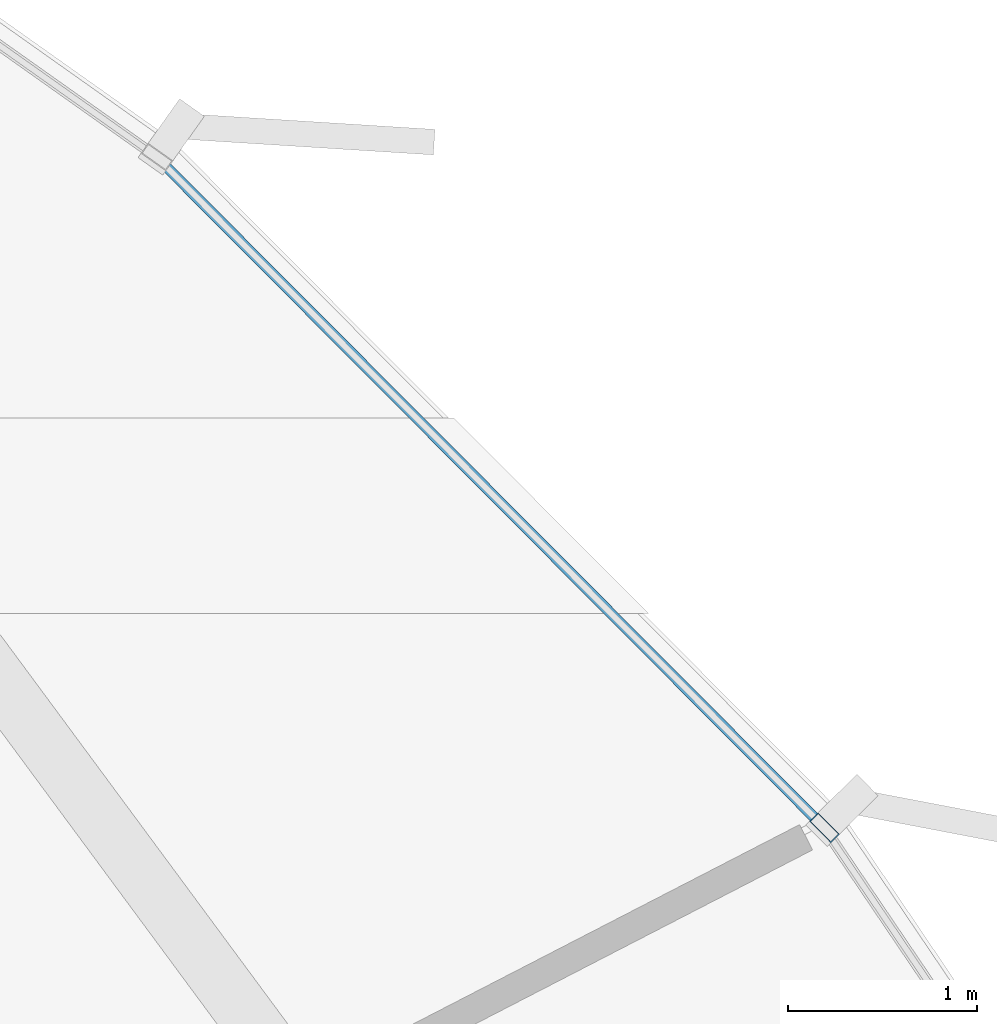
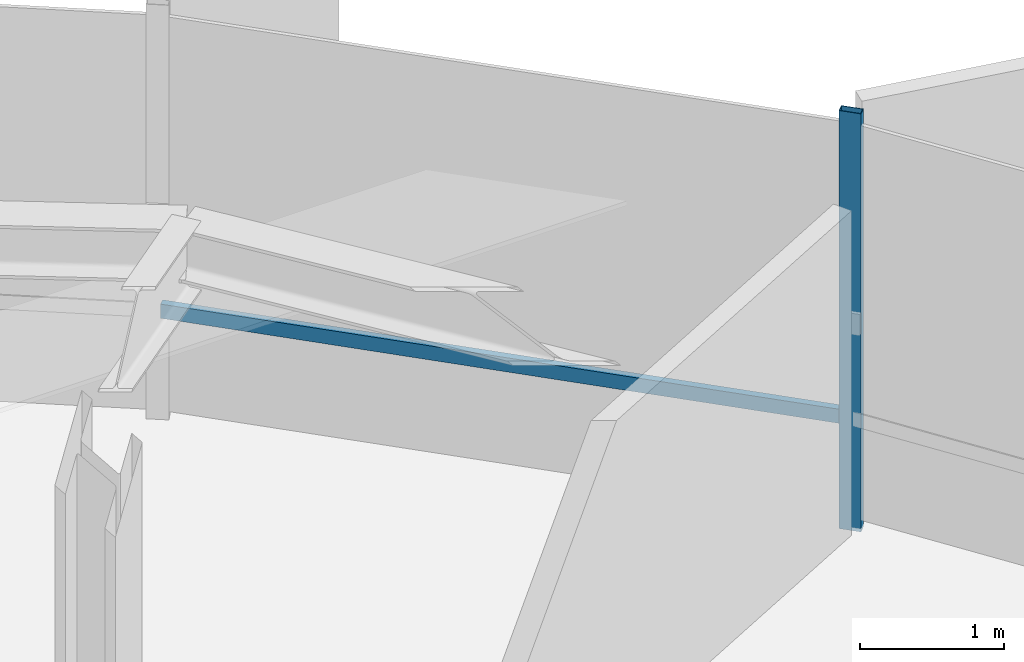
# One storey, part 25 of 39: 2 members, 1 element without a shape of its own.
"""IFC4 building model written with IfcOpenShell, lengths in metres."""

from ifc_helpers import new_model, si_unit, direction, frame, origin, origin_2d, place, context, subcontext, project, spatial, hollow_rectangle, extrude, source, transform, mapped, material, layer, layer_set, material_profile, profile_set, type_object, element, aggregate, save


model = new_model("IFC4")

# Units and contexts
model_context = context("Model", 3, precision=1e-05, world=origin(), true_north=direction((0.0, 1.0)))
body_context = subcontext(model_context, "Body", "Model", "MODEL_VIEW")
ifc_project = project(units=[si_unit("LENGTHUNIT", "METRE"), si_unit("AREAUNIT", "SQUARE_METRE"), si_unit("VOLUMEUNIT", "CUBIC_METRE"), si_unit("PLANEANGLEUNIT", "RADIAN"), si_unit("MASSUNIT", "GRAM", prefix="KILO"), si_unit("THERMODYNAMICTEMPERATUREUNIT", "KELVIN")], contexts=[model_context])

# Site, building, storey
site_placement = place(None, origin())
site = spatial("IfcSite", under=ifc_project, at=site_placement, CompositionType="ELEMENT")
building_placement = place(site_placement, origin())
building = spatial("IfcBuilding", under=site, at=building_placement, Name="Kethvar Cultural Tower", CompositionType="ELEMENT")
storey_placement = place(building_placement, frame((0.0, 0.0, 41.0)))
storey = spatial("IfcBuildingStorey", under=building, at=storey_placement, Name="L09", CompositionType="ELEMENT", Elevation=41.0)

# Curtain wall, members
ifc_material = material(Name="Aluminium 6063-T6", Category="aluminium")
ifc_layer = layer(ifc_material, 0.179931640625, Name="Aluminium 6063-T6", Category="aluminium")
ifc_layer_set = layer_set([ifc_layer], Name="Aluminium 6063-T6 (180 mm)")
curtain_wall_type = type_object("IfcCurtainWallType", Name="CW-SYS-02-Z1", PredefinedType="NOTDEFINED", material=ifc_layer_set)
curtain_wall_placement = place(storey_placement, origin())
curtain_wall = element("IfcCurtainWall", 1, at=curtain_wall_placement, inside=storey, type_object=curtain_wall_type, Name="L09 Curtain Wall Run 01", PredefinedType="NOTDEFINED")
ifc_material_profile_1 = material_profile(ifc_material, hollow_rectangle(XDim=0.06494140625, YDim=0.159912109375, WallThickness=0.0048828125, at=origin_2d()), Name="Aluminium 6063-T6 — RHS160x65x5")
ifc_profile_set_1 = profile_set([ifc_material_profile_1], Name="Aluminium 6063-T6 — RHS160x65x5")
member_type_1 = type_object("IfcMemberType", Name="CW-SYS-02-Z1-MUL", PredefinedType="MULLION", material=ifc_profile_set_1)
shared_shape_1 = source(origin(), body_context, "Body", "SweptSolid", [
    extrude(hollow_rectangle(XDim=0.06494140625, YDim=0.159912109375, WallThickness=0.0048828125, at=origin_2d()), origin(), (0.0, 0.0, 1.0), 3.550048828125),
])
member_1_placement = place(storey_placement, frame((74.29541015625, 42.042236328125, 0.0), z_axis=(0.0, 0.0, 1.0), x_axis=(-0.708536926631, -0.70567373736, 0.0)))
member_1 = element("IfcMember", 2, at=member_1_placement, type_object=member_type_1, Name="CW-L09-R01 Mullion 4", PredefinedType="MULLION", context=body_context, shape_type="MappedRepresentation", body=[
    mapped(shared_shape_1, transform((0.0, 0.0, 0.0), scale=1.0)),
])
ifc_material_profile_2 = material_profile(ifc_material, hollow_rectangle(XDim=0.054931640625, YDim=0.1201171875, WallThickness=0.00390625, at=origin_2d()), Name="Aluminium 6063-T6 — RHS120x55x4")
ifc_profile_set_2 = profile_set([ifc_material_profile_2], Name="Aluminium 6063-T6 — RHS120x55x4")
member_type_2 = type_object("IfcMemberType", Name="CW-SYS-02-Z1-TRN", PredefinedType="USERDEFINED", material=ifc_profile_set_2)
shared_shape_2 = source(origin(), body_context, "Body", "SweptSolid", [
    extrude(hollow_rectangle(XDim=0.054931640625, YDim=0.1201171875, WallThickness=0.00390625, at=origin_2d()), origin(), (0.0, 0.0, 1.0), 4.921142578125),
])
member_2_placement = place(storey_placement, frame((74.262451171875, 42.075439453125, 0.949951171875), z_axis=(-0.705666599077, 0.708544035997, 0.0), x_axis=(-0.708544035997, -0.705666599077, 0.0)))
member_2 = element("IfcMember", 3, at=member_2_placement, type_object=member_type_2, Name="CW-L09-R01 Transom 4", ObjectType="TRANSOM", PredefinedType="USERDEFINED", context=body_context, shape_type="MappedRepresentation", body=[
    mapped(shared_shape_2, transform((0.0, 0.0, 0.0), scale=1.0)),
])
aggregate(curtain_wall, [member_1, member_2])

save(model, "model.ifc")
